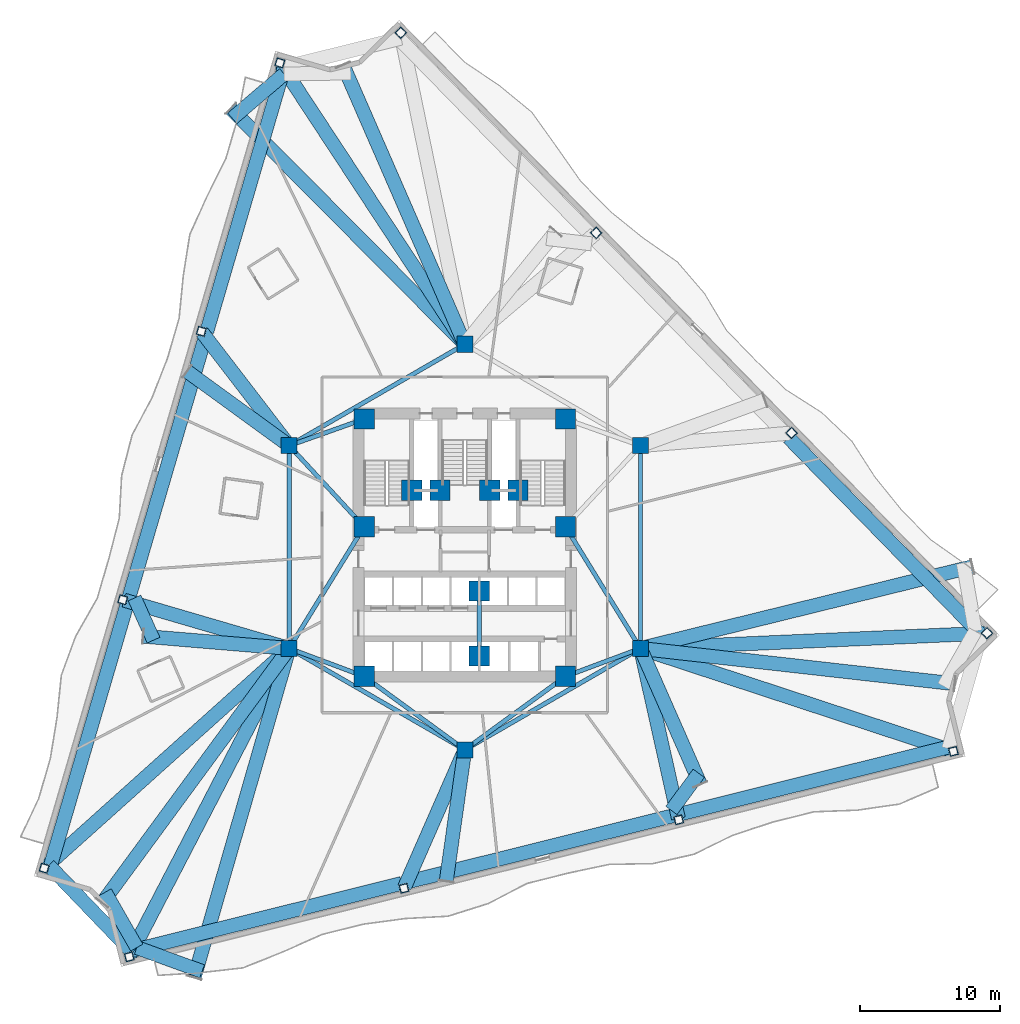
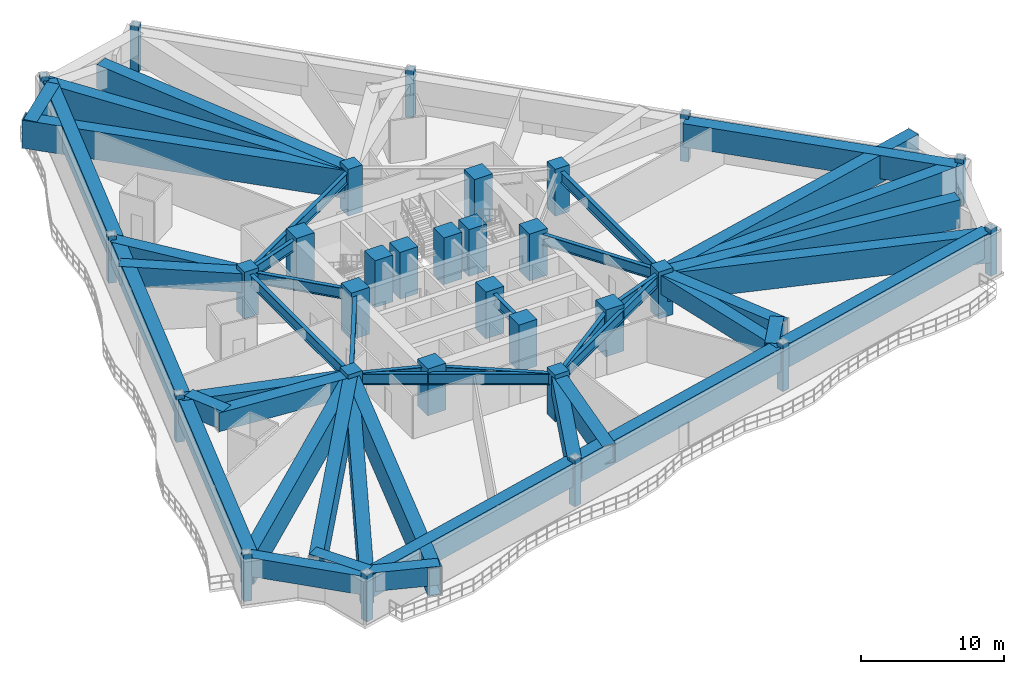
# One storey, part 1 of 14: 46 beams, 30 columns.
"""IFC4 building model written with IfcOpenShell, lengths in metres."""

from ifc_helpers import new_model, si_unit, direction, frame, origin, origin_2d, place, context, subcontext, project, spatial, rectangle, hollow_rectangle, i_section, extrude, material, material_profile, profile_set, type_object, element, save


model = new_model("IFC4")

# Units and contexts
model_context = context("Model", 3, precision=1e-05, world=origin(), true_north=direction((0.0, 1.0)))
body_context = subcontext(model_context, "Body", "Model", "MODEL_VIEW")
ifc_project = project(units=[si_unit("LENGTHUNIT", "METRE"), si_unit("AREAUNIT", "SQUARE_METRE"), si_unit("VOLUMEUNIT", "CUBIC_METRE"), si_unit("PLANEANGLEUNIT", "RADIAN"), si_unit("MASSUNIT", "GRAM", prefix="KILO")], contexts=[model_context])

# Site, building, storey
site_placement = place(None, origin())
site = spatial("IfcSite", under=ifc_project, at=site_placement, CompositionType="ELEMENT")
building_placement = place(site_placement, origin())
building = spatial("IfcBuilding", under=site, at=building_placement, Name="Apsidion Concourse Tower", CompositionType="ELEMENT")
storey_placement = place(building_placement, frame((0.0, 0.0, 123.0)))
storey = spatial("IfcBuildingStorey", under=building, at=storey_placement, Name="L28", CompositionType="ELEMENT", Elevation=123.0)

# Columns
ifc_material_1 = material(Name="Structural steel ASTM A572 Grade 50", Category="steel")
ifc_material_profile_1 = material_profile(ifc_material_1, hollow_rectangle(XDim=0.60009765625, YDim=0.60009765625, WallThickness=0.0400390625, at=origin_2d()), Name="BOX600X600X40")
ifc_profile_set_1 = profile_set([ifc_material_profile_1], Name="Structural steel ASTM A572 Grade 50")
column_type_1 = type_object("IfcColumnType", Name="COL-BOX-600", PredefinedType="COLUMN", material=ifc_profile_set_1)
for number, where, z_axis, x_axis, name in (
    (1, (-13.221435546875, 34.61669921875, 0.0), (0.0, 0.0, 1.0), (0.28083422227, 0.959756291775, 0.0), "L28 Rotated Perimeter Column PC01"),
    (2, (-18.839111328125, 15.422119140625, 0.0), (0.0, 0.0, 1.0), (0.28083422227, 0.959756291775, 0.0), "L28 Rotated Perimeter Column PC02"),
    (3, (-24.45703125, -3.772705078125, 0.0), (0.0, 0.0, 1.0), (0.28083422227, 0.959756291775, 0.0), "L28 Rotated Perimeter Column PC03"),
    (4, (-30.074951171875, -22.96728515625, 0.0), (0.0, 0.0, 1.0), (0.28083422227, 0.959756291775, 0.0), "L28 Rotated Perimeter Column PC04"),
    (5, (-23.9912109375, -29.302001953125, 0.0), (0.0, 0.0, 1.0), (0.970295726276, 0.2419218956, 0.0), "L28 Rotated Perimeter Column PC05"),
    (6, (-4.34765625, -24.404296875, 0.0), (0.0, 0.0, 1.0), (0.970295726276, 0.2419218956, 0.0), "L28 Rotated Perimeter Column PC06"),
    (7, (15.2958984375, -19.506591796875, 0.0), (0.0, 0.0, 1.0), (0.970295726276, 0.2419218956, 0.0), "L28 Rotated Perimeter Column PC07"),
    (8, (34.939208984375, -14.60888671875, 0.0), (0.0, 0.0, 1.0), (0.970295726276, 0.2419218956, 0.0), "L28 Rotated Perimeter Column PC08"),
    (9, (37.337158203125, -6.15966796875, 0.0), (0.0, 0.0, 1.0), (-0.698540186739, 0.715570826341, 0.0), "L28 Rotated Perimeter Column PC09"),
    (10, (23.365478515625, 8.15087890625, 0.0), (0.0, 0.0, 1.0), (-0.698540186739, 0.715570826341, 0.0), "L28 Rotated Perimeter Column PC10"),
    (11, (9.393798828125, 22.461181640625, 0.0), (0.0, 0.0, 1.0), (-0.698540186739, 0.715570826341, 0.0), "L28 Rotated Perimeter Column PC11"),
    (12, (-4.57763671875, 36.771728515625, 0.0), (0.0, 0.0, 1.0), (-0.698540186739, 0.715570826341, 0.0), "L28 Rotated Perimeter Column PC12"),
):
    element("IfcColumn", number, at=place(storey_placement, frame(where, z_axis=z_axis, x_axis=x_axis)), inside=storey, type_object=column_type_1, Name=name, PredefinedType="COLUMN", context=body_context, shape_type="SweptSolid", body=[
        extrude(hollow_rectangle(XDim=0.60009765625, YDim=0.60009765625, WallThickness=0.0400390625, at=origin_2d()), origin(), (0.0, 0.0, 1.0), 4.0),
    ])
ifc_material_2 = material(Name="Concrete C50/60", Category="concrete")
ifc_material_profile_2 = material_profile(ifc_material_2, rectangle(XDim=1.14990234375, YDim=1.14990234375, at=origin_2d()), Name="RC 1150x1150")
ifc_profile_set_2 = profile_set([ifc_material_profile_2], Name="Concrete C50/60")
column_type_2 = type_object("IfcColumnType", Name="COL-RC-1150", PredefinedType="COLUMN", material=ifc_profile_set_2)
for number, where, z_axis, x_axis, name in (
    (13, (-12.56005859375, -7.25, 0.0), (0.0, 0.0, 1.0), (1.0, 0.0, 0.0), "L28 Interior Spine Column IC1"),
    (14, (12.56005859375, -7.25, 0.0), (0.0, 0.0, 1.0), (1.0, 0.0, 0.0), "L28 Interior Spine Column IC2"),
    (15, (12.56005859375, 7.25, 0.0), (0.0, 0.0, 1.0), (1.0, 0.0, 0.0), "L28 Interior Spine Column IC3"),
    (16, (0.0, 14.5, 0.0), (0.0, 0.0, 1.0), (1.0, 0.0, 0.0), "L28 Interior Spine Column IC4"),
    (17, (-12.56005859375, 7.25, 0.0), (0.0, 0.0, 1.0), (1.0, 0.0, 0.0), "L28 Interior Spine Column IC5"),
    (18, (0.0, -14.5, 0.0), (0.0, 0.0, 1.0), (1.0, 0.0, 0.0), "L28 Interior Spine Column IC6"),
):
    element("IfcColumn", number, at=place(storey_placement, frame(where, z_axis=z_axis, x_axis=x_axis)), inside=storey, type_object=column_type_2, Name=name, PredefinedType="COLUMN", context=body_context, shape_type="SweptSolid", body=[
        extrude(rectangle(XDim=1.14990234375, YDim=1.14990234375, at=origin_2d()), origin(), (0.0, 0.0, 1.0), 4.0),
    ])
ifc_material_3 = material(Name="Concrete C60/75", Category="concrete")
ifc_material_profile_3 = material_profile(ifc_material_3, rectangle(XDim=1.449951171875, YDim=1.449951171875, at=origin_2d()), Name="RC 1450x1450")
ifc_profile_set_3 = profile_set([ifc_material_profile_3], Name="Concrete C60/75")
column_type_3 = type_object("IfcColumnType", Name="COL-RC-1450", PredefinedType="COLUMN", material=ifc_profile_set_3)
for number, where, z_axis, x_axis, name in (
    (19, (-7.199951171875, -9.25, 0.0), (0.0, 0.0, 1.0), (1.0, 0.0, 0.0), "L28 Core Super-Column SC1"),
    (20, (7.199951171875, -9.25, 0.0), (0.0, 0.0, 1.0), (1.0, 0.0, 0.0), "L28 Core Super-Column SC2"),
    (21, (7.199951171875, 1.449951171875, 0.0), (0.0, 0.0, 1.0), (1.0, 0.0, 0.0), "L28 Core Super-Column SC3"),
    (22, (7.199951171875, 9.14990234375, 0.0), (0.0, 0.0, 1.0), (1.0, 0.0, 0.0), "L28 Core Super-Column SC4"),
    (23, (-7.199951171875, 9.14990234375, 0.0), (0.0, 0.0, 1.0), (1.0, 0.0, 0.0), "L28 Core Super-Column SC5"),
    (24, (-7.199951171875, 1.449951171875, 0.0), (0.0, 0.0, 1.0), (1.0, 0.0, 0.0), "L28 Core Super-Column SC6"),
    (25, (-3.800048828125, 4.050048828125, 0.0), (0.0, 0.0, 1.0), (1.0, 0.0, 0.0), "L28 Core Super-Column CC1"),
    (26, (3.800048828125, 4.050048828125, 0.0), (0.0, 0.0, 1.0), (1.0, 0.0, 0.0), "L28 Core Super-Column CC2"),
    (27, (-1.77490234375, 4.050048828125, 0.0), (0.0, 0.0, 1.0), (1.0, 0.0, 0.0), "L28 Core Super-Column CC3"),
    (28, (1.77490234375, 4.050048828125, 0.0), (0.0, 0.0, 1.0), (1.0, 0.0, 0.0), "L28 Core Super-Column CC4"),
    (29, (1.02490234375, -3.14990234375, 0.0), (0.0, 0.0, 1.0), (1.0, 0.0, 0.0), "L28 Core Super-Column CC5"),
    (30, (1.02490234375, -7.800048828125, 0.0), (0.0, 0.0, 1.0), (1.0, 0.0, 0.0), "L28 Core Super-Column CC6"),
):
    element("IfcColumn", number, at=place(storey_placement, frame(where, z_axis=z_axis, x_axis=x_axis)), inside=storey, type_object=column_type_3, Name=name, PredefinedType="COLUMN", context=body_context, shape_type="SweptSolid", body=[
        extrude(rectangle(XDim=1.449951171875, YDim=1.449951171875, at=origin_2d()), origin(), (0.0, 0.0, 1.0), 4.0),
    ])

# Beams
ifc_material_4 = material(Name="Structural steel ASTM A992 Grade 50", Category="steel")
ifc_material_profile_4 = material_profile(ifc_material_4, i_section(OverallWidth=0.31005859375, OverallDepth=0.931884765625, WebThickness=0.02099609375, FlangeThickness=0.034423828125, at=origin_2d()), Name="W36X210")
ifc_profile_set_4 = profile_set([ifc_material_profile_4], Name="Structural steel ASTM A992 Grade 50")
beam_type_1 = type_object("IfcBeamType", Name="BM-G-W36", PredefinedType="USERDEFINED", material=ifc_profile_set_4)
beam_1_placement = place(storey_placement, frame((-12.185302734375, -7.389892578125, 3.18408203125), z_axis=(0.936913021145, -0.349562570664, 0.0), x_axis=(0.349562570664, 0.936913021145, 0.0)))
element("IfcBeam", 31, at=beam_1_placement, inside=storey, type_object=beam_type_1, Name="L28 Core Coupling Girder IC1-SC1", ObjectType="GIRDER", PredefinedType="USERDEFINED", context=body_context, shape_type="SweptSolid", body=[
    extrude(i_section(OverallWidth=0.31005859375, OverallDepth=0.931884765625, WebThickness=0.02099609375, FlangeThickness=0.034423828125, at=origin_2d()), origin(), (0.0, 0.0, 1.0), 4.921142578125),
])
beam_2_placement = place(storey_placement, frame((-12.35009765625, -6.909423828125, 3.18408203125), z_axis=(0.524524009763, 0.851395656074, 0.0), x_axis=(-0.851395656074, 0.524524009763, 0.0)))
element("IfcBeam", 32, at=beam_2_placement, inside=storey, type_object=beam_type_1, Name="L28 Core Coupling Girder IC1-SC6", ObjectType="GIRDER", PredefinedType="USERDEFINED", context=body_context, shape_type="SweptSolid", body=[
    extrude(i_section(OverallWidth=0.31005859375, OverallDepth=0.931884765625, WebThickness=0.02099609375, FlangeThickness=0.034423828125, at=origin_2d()), origin(), (0.0, 0.0, 1.0), 9.41845703125),
])
beam_3_placement = place(storey_placement, frame((12.185302734375, -7.389892578125, 3.18408203125), z_axis=(-0.936913021145, -0.349562570664, 0.0), x_axis=(0.349562570664, -0.936913021145, 0.0)))
element("IfcBeam", 33, at=beam_3_placement, inside=storey, type_object=beam_type_1, Name="L28 Core Coupling Girder IC2-SC2", ObjectType="GIRDER", PredefinedType="USERDEFINED", context=body_context, shape_type="SweptSolid", body=[
    extrude(i_section(OverallWidth=0.31005859375, OverallDepth=0.931884765625, WebThickness=0.02099609375, FlangeThickness=0.034423828125, at=origin_2d()), origin(), (0.0, 0.0, 1.0), 4.921142578125),
])
beam_4_placement = place(storey_placement, frame((12.35009765625, -6.909423828125, 3.18408203125), z_axis=(-0.524524009763, 0.851395656074, 0.0), x_axis=(-0.851395656074, -0.524524009763, 0.0)))
element("IfcBeam", 34, at=beam_4_placement, inside=storey, type_object=beam_type_1, Name="L28 Core Coupling Girder IC2-SC3", ObjectType="GIRDER", PredefinedType="USERDEFINED", context=body_context, shape_type="SweptSolid", body=[
    extrude(i_section(OverallWidth=0.31005859375, OverallDepth=0.931884765625, WebThickness=0.02099609375, FlangeThickness=0.034423828125, at=origin_2d()), origin(), (0.0, 0.0, 1.0), 9.41845703125),
])
beam_5_placement = place(storey_placement, frame((-12.28857421875, 6.956298828125, 3.18408203125), z_axis=(0.678712876106, -0.73440372535, 0.0), x_axis=(0.73440372535, 0.678712876106, 0.0)))
element("IfcBeam", 35, at=beam_5_placement, inside=storey, type_object=beam_type_1, Name="L28 Core Coupling Girder IC5-SC6", ObjectType="GIRDER", PredefinedType="USERDEFINED", context=body_context, shape_type="SweptSolid", body=[
    extrude(i_section(OverallWidth=0.31005859375, OverallDepth=0.931884765625, WebThickness=0.02099609375, FlangeThickness=0.034423828125, at=origin_2d()), origin(), (0.0, 0.0, 1.0), 7.097412109375),
])
beam_6_placement = place(storey_placement, frame((-12.18310546875, 7.383544921875, 3.18408203125), z_axis=(0.942533844539, 0.334110688094, 0.0), x_axis=(-0.334110688094, 0.942533844539, 0.0)))
element("IfcBeam", 36, at=beam_6_placement, inside=storey, type_object=beam_type_1, Name="L28 Core Coupling Girder IC5-SC5", ObjectType="GIRDER", PredefinedType="USERDEFINED", context=body_context, shape_type="SweptSolid", body=[
    extrude(i_section(OverallWidth=0.31005859375, OverallDepth=0.931884765625, WebThickness=0.02099609375, FlangeThickness=0.034423828125, at=origin_2d()), origin(), (0.0, 0.0, 1.0), 4.886962890625),
])
for number, where, z_axis, x_axis, name in (
    (37, (-0.3232421875, -14.264404296875, 3.18408203125), (-0.807993498909, 0.589191399905, 0.0), (-0.589191399905, -0.807993498909, 0.0), "L28 Core Coupling Girder IC6-SC1"),
    (38, (0.3232421875, -14.264404296875, 3.18408203125), (0.807993498909, 0.589191399905, 0.0), (-0.589191399905, 0.807993498909, 0.0), "L28 Core Coupling Girder IC6-SC2"),
):
    element("IfcBeam", number, at=place(storey_placement, frame(where, z_axis=z_axis, x_axis=x_axis)), inside=storey, type_object=beam_type_1, Name=name, ObjectType="GIRDER", PredefinedType="USERDEFINED", context=body_context, shape_type="SweptSolid", body=[
        extrude(i_section(OverallWidth=0.31005859375, OverallDepth=0.931884765625, WebThickness=0.02099609375, FlangeThickness=0.034423828125, at=origin_2d()), origin(), (0.0, 0.0, 1.0), 8.11083984375),
    ])
beam_7_placement = place(storey_placement, frame((-12.56005859375, -6.85009765625, 3.18408203125), z_axis=(0.0, 1.0, 0.0), x_axis=(-1.0, 0.0, 0.0)))
element("IfcBeam", 39, at=beam_7_placement, inside=storey, type_object=beam_type_1, Name="L28 Core Coupling Girder IC1-IC5", ObjectType="GIRDER", PredefinedType="USERDEFINED", context=body_context, shape_type="SweptSolid", body=[
    extrude(i_section(OverallWidth=0.31005859375, OverallDepth=0.931884765625, WebThickness=0.02099609375, FlangeThickness=0.034423828125, at=origin_2d()), origin(), (0.0, 0.0, 1.0), 13.7001953125),
])
beam_8_placement = place(storey_placement, frame((-12.213623046875, 7.449951171875, 3.18408203125), z_axis=(0.866070471464, 0.499921932364, 0.0), x_axis=(-0.499921932364, 0.866070471464, 0.0)))
element("IfcBeam", 40, at=beam_8_placement, inside=storey, type_object=beam_type_1, Name="L28 Core Coupling Girder IC5-IC4", ObjectType="GIRDER", PredefinedType="USERDEFINED", context=body_context, shape_type="SweptSolid", body=[
    extrude(i_section(OverallWidth=0.31005859375, OverallDepth=0.931884765625, WebThickness=0.02099609375, FlangeThickness=0.034423828125, at=origin_2d()), origin(), (0.0, 0.0, 1.0), 13.702392578125),
])
beam_9_placement = place(storey_placement, frame((12.56005859375, 6.85009765625, 3.18408203125), z_axis=(0.0, -1.0, 0.0), x_axis=(1.0, 0.0, 0.0)))
element("IfcBeam", 41, at=beam_9_placement, inside=storey, type_object=beam_type_1, Name="L28 Core Coupling Girder IC3-IC2", ObjectType="GIRDER", PredefinedType="USERDEFINED", context=body_context, shape_type="SweptSolid", body=[
    extrude(i_section(OverallWidth=0.31005859375, OverallDepth=0.931884765625, WebThickness=0.02099609375, FlangeThickness=0.034423828125, at=origin_2d()), origin(), (0.0, 0.0, 1.0), 13.7001953125),
])
for number, where, z_axis, x_axis, name in (
    (42, (12.213623046875, -7.449951171875, 3.18408203125), (-0.866070471464, -0.499921932364, 0.0), (0.499921932364, -0.866070471464, 0.0), "L28 Core Coupling Girder IC2-IC6"),
    (43, (-0.346435546875, -14.300048828125, 3.18408203125), (-0.866070471464, 0.499921932364, 0.0), (-0.499921932364, -0.866070471464, 0.0), "L28 Core Coupling Girder IC6-IC1"),
):
    element("IfcBeam", number, at=place(storey_placement, frame(where, z_axis=z_axis, x_axis=x_axis)), inside=storey, type_object=beam_type_1, Name=name, ObjectType="GIRDER", PredefinedType="USERDEFINED", context=body_context, shape_type="SweptSolid", body=[
        extrude(i_section(OverallWidth=0.31005859375, OverallDepth=0.931884765625, WebThickness=0.02099609375, FlangeThickness=0.034423828125, at=origin_2d()), origin(), (0.0, 0.0, 1.0), 13.702392578125),
    ])
beam_10_placement = place(storey_placement, frame((1.02490234375, -3.550048828125, 3.18408203125), z_axis=(0.0, -1.0, 0.0), x_axis=(1.0, 0.0, 0.0)))
element("IfcBeam", 44, at=beam_10_placement, inside=storey, type_object=beam_type_1, Name="L28 Core Coupling Girder CC5-CC6", ObjectType="GIRDER", PredefinedType="USERDEFINED", context=body_context, shape_type="SweptSolid", body=[
    extrude(i_section(OverallWidth=0.31005859375, OverallDepth=0.931884765625, WebThickness=0.02099609375, FlangeThickness=0.034423828125, at=origin_2d()), origin(), (0.0, 0.0, 1.0), 3.849853515625),
])
ifc_material_profile_5 = material_profile(ifc_material_1, hollow_rectangle(XDim=1.0, YDim=1.60009765625, WallThickness=0.074951171875, at=origin_2d()), Name="BOX1600X1000X75")
ifc_profile_set_5 = profile_set([ifc_material_profile_5], Name="Structural steel ASTM A572 Grade 50")
beam_type_2 = type_object("IfcBeamType", Name="BM-TR-1600", PredefinedType="USERDEFINED", material=ifc_profile_set_5)
beam_11_placement = place(storey_placement, frame((-29.745361328125, -22.76171875, 2.85009765625), z_axis=(0.692678565471, -0.721246424558, 0.0), x_axis=(0.721246424558, 0.692678565471, 0.0)))
element("IfcBeam", 45, at=beam_11_placement, inside=storey, type_object=beam_type_2, Name="L28 Perimeter Spandrel Girder SP-04", ObjectType="GIRDER", PredefinedType="USERDEFINED", context=body_context, shape_type="SweptSolid", body=[
    extrude(hollow_rectangle(XDim=1.0, YDim=1.60009765625, WallThickness=0.074951171875, at=origin_2d()), origin(), (0.0, 0.0, 1.0), 8.622802734375),
])
beam_12_placement = place(storey_placement, frame((-12.694091796875, 7.42431640625, 2.85009765625), z_axis=(-0.60927705242, 0.792957422182, 0.0), x_axis=(-0.792957422182, -0.60927705242, 0.0)))
element("IfcBeam", 46, at=beam_12_placement, inside=storey, type_object=beam_type_2, Name="L28 Radial Floor Girder RAD-02", ObjectType="GIRDER", PredefinedType="USERDEFINED", context=body_context, shape_type="SweptSolid", body=[
    extrude(hollow_rectangle(XDim=1.0, YDim=1.60009765625, WallThickness=0.074951171875, at=origin_2d()), origin(), (0.0, 0.0, 1.0), 9.986083984375),
])
beam_13_placement = place(storey_placement, frame((-12.771240234375, -7.188232421875, 2.85009765625), z_axis=(-0.959842235796, 0.280540340025, 0.0), x_axis=(-0.280540340025, -0.959842235796, 0.0)))
element("IfcBeam", 47, at=beam_13_placement, inside=storey, type_object=beam_type_2, Name="L28 Radial Floor Girder RAD-03", ObjectType="GIRDER", PredefinedType="USERDEFINED", context=body_context, shape_type="SweptSolid", body=[
    extrude(hollow_rectangle(XDim=1.0, YDim=1.60009765625, WallThickness=0.074951171875, at=origin_2d()), origin(), (0.0, 0.0, 1.0), 12.07470703125),
])
beam_14_placement = place(storey_placement, frame((-0.08837890625, -14.701416015625, 2.85009765625), z_axis=(-0.401949632814, -0.915661778541, 0.0), x_axis=(0.915661778541, -0.401949632814, 0.0)))
element("IfcBeam", 48, at=beam_14_placement, inside=storey, type_object=beam_type_2, Name="L28 Radial Floor Girder RAD-06", ObjectType="GIRDER", PredefinedType="USERDEFINED", context=body_context, shape_type="SweptSolid", body=[
    extrude(hollow_rectangle(XDim=1.0, YDim=1.60009765625, WallThickness=0.074951171875, at=origin_2d()), origin(), (0.0, 0.0, 1.0), 10.496337890625),
])
beam_15_placement = place(storey_placement, frame((12.60791015625, -7.464599609375, 2.85009765625), z_axis=(0.217842852824, -0.975983858203, 0.0), x_axis=(0.975983858203, 0.217842852824, 0.0)))
element("IfcBeam", 49, at=beam_15_placement, inside=storey, type_object=beam_type_2, Name="L28 Radial Floor Girder RAD-07", ObjectType="GIRDER", PredefinedType="USERDEFINED", context=body_context, shape_type="SweptSolid", body=[
    extrude(hollow_rectangle(XDim=1.0, YDim=1.60009765625, WallThickness=0.074951171875, at=origin_2d()), origin(), (0.0, 0.0, 1.0), 12.23828125),
])
beam_16_placement = place(storey_placement, frame((-12.918212890625, 33.822509765625, 2.85009765625), z_axis=(-0.760054365472, -0.649859493681, 0.0), x_axis=(0.649859493681, -0.760054365472, 0.0)))
element("IfcBeam", 50, at=beam_16_placement, inside=storey, type_object=beam_type_2, Name="L28 Block-Step Perimeter Transfer Bridge NBR-01", ObjectType="GIRDER", PredefinedType="USERDEFINED", context=body_context, shape_type="SweptSolid", body=[
    extrude(hollow_rectangle(XDim=1.0, YDim=1.60009765625, WallThickness=0.074951171875, at=origin_2d()), origin(), (0.0, 0.0, 1.0), 4.878662109375),
])
beam_17_placement = place(storey_placement, frame((-12.802490234375, 7.426513671875, 2.85009765625), z_axis=(-0.808375828418, 0.588666730867, 0.0), x_axis=(-0.588666730867, -0.808375828418, 0.0)))
element("IfcBeam", 51, at=beam_17_placement, inside=storey, type_object=beam_type_2, Name="L28 Block-Step Radial Transfer Girder NTR-02", ObjectType="GIRDER", PredefinedType="USERDEFINED", context=body_context, shape_type="SweptSolid", body=[
    extrude(hollow_rectangle(XDim=1.0, YDim=1.60009765625, WallThickness=0.074951171875, at=origin_2d()), origin(), (0.0, 0.0, 1.0), 8.707275390625),
])
beam_18_placement = place(storey_placement, frame((-12.85888671875, -7.22509765625, 2.85009765625), z_axis=(-0.996528841826, 0.083248227664, 0.0), x_axis=(-0.083248227664, -0.996528841826, 0.0)))
element("IfcBeam", 52, at=beam_18_placement, inside=storey, type_object=beam_type_2, Name="L28 Block-Step Radial Transfer Girder NTR-03", ObjectType="GIRDER", PredefinedType="USERDEFINED", context=body_context, shape_type="SweptSolid", body=[
    extrude(hollow_rectangle(XDim=1.0, YDim=1.60009765625, WallThickness=0.074951171875, at=origin_2d()), origin(), (0.0, 0.0, 1.0), 10.164794921875),
])
beam_19_placement = place(storey_placement, frame((-23.616943359375, -3.64306640625, 2.85009765625), z_axis=(0.411600559507, -0.911364350528, 0.0), x_axis=(0.911364350528, 0.411600559507, 0.0)))
element("IfcBeam", 53, at=beam_19_placement, inside=storey, type_object=beam_type_2, Name="L28 Block-Step Perimeter Transfer Bridge NBR-03", ObjectType="GIRDER", PredefinedType="USERDEFINED", context=body_context, shape_type="SweptSolid", body=[
    extrude(hollow_rectangle(XDim=1.0, YDim=1.60009765625, WallThickness=0.074951171875, at=origin_2d()), origin(), (0.0, 0.0, 1.0), 3.30908203125),
])
beam_20_placement = place(storey_placement, frame((-23.45263671875, -28.644287109375, 2.85009765625), z_axis=(-0.496127410998, 0.868249729085, 0.0), x_axis=(-0.868249729085, -0.496127410998, 0.0)))
element("IfcBeam", 54, at=beam_20_placement, inside=storey, type_object=beam_type_2, Name="L28 Block-Step Perimeter Transfer Bridge NBR-04", ObjectType="GIRDER", PredefinedType="USERDEFINED", context=body_context, shape_type="SweptSolid", body=[
    extrude(hollow_rectangle(XDim=1.0, YDim=1.60009765625, WallThickness=0.074951171875, at=origin_2d()), origin(), (0.0, 0.0, 1.0), 4.561767578125),
])
beam_21_placement = place(storey_placement, frame((-23.45263671875, -28.644287109375, 2.85009765625), z_axis=(0.939662778408, -0.342102123457, 0.0), x_axis=(0.342102123457, 0.939662778408, 0.0)))
element("IfcBeam", 55, at=beam_21_placement, inside=storey, type_object=beam_type_2, Name="L28 Block-Step Perimeter Transfer Bridge NBR-05", ObjectType="GIRDER", PredefinedType="USERDEFINED", context=body_context, shape_type="SweptSolid", body=[
    extrude(hollow_rectangle(XDim=1.0, YDim=1.60009765625, WallThickness=0.074951171875, at=origin_2d()), origin(), (0.0, 0.0, 1.0), 4.9677734375),
])
beam_22_placement = place(storey_placement, frame((-0.0419921875, -14.797119140625, 2.85009765625), z_axis=(-0.139737490544, -0.990188584935, 0.0), x_axis=(0.990188584935, -0.139737490544, 0.0)))
element("IfcBeam", 56, at=beam_22_placement, inside=storey, type_object=beam_type_2, Name="L28 Block-Step Radial Transfer Girder NTR-06", ObjectType="GIRDER", PredefinedType="USERDEFINED", context=body_context, shape_type="SweptSolid", body=[
    extrude(hollow_rectangle(XDim=1.0, YDim=1.60009765625, WallThickness=0.074951171875, at=origin_2d()), origin(), (0.0, 0.0, 1.0), 9.176025390625),
])
beam_23_placement = place(storey_placement, frame((12.680908203125, -7.5244140625, 2.85009765625), z_axis=(0.403242521372, -0.915093147695, 0.0), x_axis=(0.915093147695, 0.403242521372, 0.0)))
element("IfcBeam", 57, at=beam_23_placement, inside=storey, type_object=beam_type_2, Name="L28 Block-Step Radial Transfer Girder NTR-07", ObjectType="GIRDER", PredefinedType="USERDEFINED", context=body_context, shape_type="SweptSolid", body=[
    extrude(hollow_rectangle(XDim=1.0, YDim=1.60009765625, WallThickness=0.074951171875, at=origin_2d()), origin(), (0.0, 0.0, 1.0), 10.308837890625),
])
beam_24_placement = place(storey_placement, frame((14.771240234375, -18.837646484375, 2.85009765625), z_axis=(0.592636157153, 0.805470288239, 0.0), x_axis=(-0.805470288239, 0.592636157153, 0.0)))
element("IfcBeam", 58, at=beam_24_placement, inside=storey, type_object=beam_type_2, Name="L28 Block-Step Perimeter Transfer Bridge NBR-07", ObjectType="GIRDER", PredefinedType="USERDEFINED", context=body_context, shape_type="SweptSolid", body=[
    extrude(hollow_rectangle(XDim=1.0, YDim=1.60009765625, WallThickness=0.074951171875, at=origin_2d()), origin(), (0.0, 0.0, 1.0), 3.30029296875),
])
ifc_material_profile_6 = material_profile(ifc_material_1, hollow_rectangle(XDim=1.0, YDim=2.0, WallThickness=0.080078125, at=origin_2d()), Name="BOX2000X1000X80")
ifc_profile_set_6 = profile_set([ifc_material_profile_6], Name="Structural steel ASTM A572 Grade 50")
beam_type_3 = type_object("IfcBeamType", Name="BM-TR-2000", PredefinedType="USERDEFINED", material=ifc_profile_set_6)
for number, where, z_axis, x_axis, name in (
    (59, (-12.879150390625, 34.43310546875, 2.64990234375), (-0.280888247957, -0.959740481672, 0.0), (0.959740481672, -0.280888247957, 0.0), "L28 Perimeter Spandrel Girder SP-01"),
    (60, (-18.4970703125, 15.238525390625, 2.64990234375), (-0.280888247957, -0.959740481672, 0.0), (0.959740481672, -0.280888247957, 0.0), "L28 Perimeter Spandrel Girder SP-02"),
    (61, (-24.114990234375, -3.956298828125, 2.64990234375), (-0.280888247957, -0.959740481672, 0.0), (0.959740481672, -0.280888247957, 0.0), "L28 Perimeter Spandrel Girder SP-03"),
):
    element("IfcBeam", number, at=place(storey_placement, frame(where, z_axis=z_axis, x_axis=x_axis)), inside=storey, type_object=beam_type_3, Name=name, ObjectType="GIRDER", PredefinedType="USERDEFINED", context=body_context, shape_type="SweptSolid", body=[
        extrude(hollow_rectangle(XDim=1.0, YDim=2.0, WallThickness=0.080078125, at=origin_2d()), origin(), (0.0, 0.0, 1.0), 19.83984375),
    ])
beam_25_placement = place(storey_placement, frame((-24.00537109375, -28.913818359375, 2.64990234375), z_axis=(0.970296749179, 0.241917792922, 0.0), x_axis=(-0.241917792922, 0.970296749179, 0.0)))
element("IfcBeam", 62, at=beam_25_placement, inside=storey, type_object=beam_type_3, Name="L28 Perimeter Spandrel Girder SP-05", ObjectType="GIRDER", PredefinedType="USERDEFINED", context=body_context, shape_type="SweptSolid", body=[
    extrude(hollow_rectangle(XDim=1.0, YDim=2.0, WallThickness=0.080078125, at=origin_2d()), origin(), (0.0, 0.0, 1.0), 20.0849609375),
])
beam_26_placement = place(storey_placement, frame((-4.36181640625, -24.01611328125, 2.64990234375), z_axis=(0.970296037778, 0.241920646228, 0.0), x_axis=(-0.241920646228, 0.970296037778, 0.0)))
element("IfcBeam", 63, at=beam_26_placement, inside=storey, type_object=beam_type_3, Name="L28 Perimeter Spandrel Girder SP-06", ObjectType="GIRDER", PredefinedType="USERDEFINED", context=body_context, shape_type="SweptSolid", body=[
    extrude(hollow_rectangle(XDim=1.0, YDim=2.0, WallThickness=0.080078125, at=origin_2d()), origin(), (0.0, 0.0, 1.0), 20.084716796875),
])
beam_27_placement = place(storey_placement, frame((15.281494140625, -19.118408203125, 2.64990234375), z_axis=(0.970296749179, 0.241917792922, 0.0), x_axis=(-0.241917792922, 0.970296749179, 0.0)))
element("IfcBeam", 64, at=beam_27_placement, inside=storey, type_object=beam_type_3, Name="L28 Perimeter Spandrel Girder SP-07", ObjectType="GIRDER", PredefinedType="USERDEFINED", context=body_context, shape_type="SweptSolid", body=[
    extrude(hollow_rectangle(XDim=1.0, YDim=2.0, WallThickness=0.080078125, at=origin_2d()), origin(), (0.0, 0.0, 1.0), 20.0849609375),
])
beam_28_placement = place(storey_placement, frame((37.00927734375, -6.367919921875, 2.64990234375), z_axis=(-0.698583680674, 0.715528364984, 0.0), x_axis=(-0.715528364984, -0.698583680674, 0.0)))
element("IfcBeam", 65, at=beam_28_placement, inside=storey, type_object=beam_type_3, Name="L28 Perimeter Spandrel Girder SP-09", ObjectType="GIRDER", PredefinedType="USERDEFINED", context=body_context, shape_type="SweptSolid", body=[
    extrude(hollow_rectangle(XDim=1.0, YDim=2.0, WallThickness=0.080078125, at=origin_2d()), origin(), (0.0, 0.0, 1.0), 19.83984375),
])
beam_29_placement = place(storey_placement, frame((-0.119873046875, 14.77490234375, 2.64990234375), z_axis=(-0.399787997335, 0.916607635353, 0.0), x_axis=(-0.916607635353, -0.399787997335, 0.0)))
element("IfcBeam", 66, at=beam_29_placement, inside=storey, type_object=beam_type_3, Name="L28 Block-Step Radial Transfer Girder NTR-12", ObjectType="GIRDER", PredefinedType="USERDEFINED", context=body_context, shape_type="SweptSolid", body=[
    extrude(hollow_rectangle(XDim=1.0, YDim=2.0, WallThickness=0.080078125, at=origin_2d()), origin(), (0.0, 0.0, 1.0), 21.474365234375),
])
ifc_material_profile_7 = material_profile(ifc_material_1, hollow_rectangle(XDim=1.0, YDim=2.39990234375, WallThickness=0.080078125, at=origin_2d()), Name="BOX2400X1000X80")
ifc_profile_set_7 = profile_set([ifc_material_profile_7], Name="Structural steel ASTM A572 Grade 50")
beam_type_4 = type_object("IfcBeamType", Name="BM-TR-2400", PredefinedType="USERDEFINED", material=ifc_profile_set_7)
beam_30_placement = place(storey_placement, frame((-0.120849609375, 14.683837890625, 2.449951171875), z_axis=(-0.549235108968, 0.835667873666, 0.0), x_axis=(-0.835667873666, -0.549235108968, 0.0)))
element("IfcBeam", 67, at=beam_30_placement, inside=storey, type_object=beam_type_4, Name="L28 Radial Floor Girder RAD-01", ObjectType="GIRDER", PredefinedType="USERDEFINED", context=body_context, shape_type="SweptSolid", body=[
    extrude(hollow_rectangle(XDim=1.0, YDim=2.39990234375, WallThickness=0.080078125, at=origin_2d()), origin(), (0.0, 0.0, 1.0), 23.75244140625),
])
beam_31_placement = place(storey_placement, frame((-12.7236328125, -7.39697265625, 2.449951171875), z_axis=(-0.744273383099, -0.667875086532, 0.0), x_axis=(0.667875086532, -0.744273383099, 0.0)))
element("IfcBeam", 68, at=beam_31_placement, inside=storey, type_object=beam_type_4, Name="L28 Radial Floor Girder RAD-04", ObjectType="GIRDER", PredefinedType="USERDEFINED", context=body_context, shape_type="SweptSolid", body=[
    extrude(hollow_rectangle(XDim=1.0, YDim=2.39990234375, WallThickness=0.080078125, at=origin_2d()), origin(), (0.0, 0.0, 1.0), 23.213134765625),
])
beam_32_placement = place(storey_placement, frame((-12.6611328125, -7.4453125, 2.449951171875), z_axis=(-0.460218051121, -0.887805916528, 0.0), x_axis=(0.887805916528, -0.460218051121, 0.0)))
element("IfcBeam", 69, at=beam_32_placement, inside=storey, type_object=beam_type_4, Name="L28 Radial Floor Girder RAD-05", ObjectType="GIRDER", PredefinedType="USERDEFINED", context=body_context, shape_type="SweptSolid", body=[
    extrude(hollow_rectangle(XDim=1.0, YDim=2.39990234375, WallThickness=0.080078125, at=origin_2d()), origin(), (0.0, 0.0, 1.0), 24.5185546875),
])
beam_33_placement = place(storey_placement, frame((12.76904296875, -7.318603515625, 2.449951171875), z_axis=(0.949958282866, -0.312376793015, 0.0), x_axis=(0.312376793015, 0.949958282866, 0.0)))
element("IfcBeam", 70, at=beam_33_placement, inside=storey, type_object=beam_type_4, Name="L28 Radial Floor Girder RAD-08", ObjectType="GIRDER", PredefinedType="USERDEFINED", context=body_context, shape_type="SweptSolid", body=[
    extrude(hollow_rectangle(XDim=1.0, YDim=2.39990234375, WallThickness=0.080078125, at=origin_2d()), origin(), (0.0, 0.0, 1.0), 23.238037109375),
])
beam_34_placement = place(storey_placement, frame((12.77978515625, -7.240234375, 2.449951171875), z_axis=(0.999033329696, 0.0439591419, 0.0), x_axis=(-0.0439591419, 0.999033329696, 0.0)))
element("IfcBeam", 71, at=beam_34_placement, inside=storey, type_object=beam_type_4, Name="L28 Radial Floor Girder RAD-09", ObjectType="GIRDER", PredefinedType="USERDEFINED", context=body_context, shape_type="SweptSolid", body=[
    extrude(hollow_rectangle(XDim=1.0, YDim=2.39990234375, WallThickness=0.080078125, at=origin_2d()), origin(), (0.0, 0.0, 1.0), 24.481201171875),
])
beam_35_placement = place(storey_placement, frame((-0.211181640625, 14.712890625, 2.449951171875), z_axis=(-0.704471942339, 0.709731838413, 0.0), x_axis=(-0.709731838413, -0.704471942339, 0.0)))
element("IfcBeam", 72, at=beam_35_placement, inside=storey, type_object=beam_type_4, Name="L28 Block-Step Radial Transfer Girder NTR-01", ObjectType="GIRDER", PredefinedType="USERDEFINED", context=body_context, shape_type="SweptSolid", body=[
    extrude(hollow_rectangle(XDim=1.0, YDim=2.39990234375, WallThickness=0.080078125, at=origin_2d()), origin(), (0.0, 0.0, 1.0), 23.43994140625),
])
beam_36_placement = place(storey_placement, frame((-12.737548828125, -7.49169921875, 2.449951171875), z_axis=(-0.592097931004, -0.805866018703, 0.0), x_axis=(0.805866018703, -0.592097931004, 0.0)))
element("IfcBeam", 73, at=beam_36_placement, inside=storey, type_object=beam_type_4, Name="L28 Block-Step Radial Transfer Girder NTR-04", ObjectType="GIRDER", PredefinedType="USERDEFINED", context=body_context, shape_type="SweptSolid", body=[
    extrude(hollow_rectangle(XDim=1.0, YDim=2.39990234375, WallThickness=0.080078125, at=origin_2d()), origin(), (0.0, 0.0, 1.0), 22.27734375),
])
beam_37_placement = place(storey_placement, frame((-12.64306640625, -7.5380859375, 2.449951171875), z_axis=(-0.277131254199, -0.960832070627, 0.0), x_axis=(0.960832070627, -0.277131254199, 0.0)))
element("IfcBeam", 74, at=beam_37_placement, inside=storey, type_object=beam_type_4, Name="L28 Block-Step Radial Transfer Girder NTR-05", ObjectType="GIRDER", PredefinedType="USERDEFINED", context=body_context, shape_type="SweptSolid", body=[
    extrude(hollow_rectangle(XDim=1.0, YDim=2.39990234375, WallThickness=0.080078125, at=origin_2d()), origin(), (0.0, 0.0, 1.0), 24.180419921875),
])
beam_38_placement = place(storey_placement, frame((12.858154296875, -7.28369140625, 2.449951171875), z_axis=(0.993722327211, -0.111874645932, 0.0), x_axis=(0.111874645932, 0.993722327211, 0.0)))
element("IfcBeam", 75, at=beam_38_placement, inside=storey, type_object=beam_type_4, Name="L28 Block-Step Radial Transfer Girder NTR-08", ObjectType="GIRDER", PredefinedType="USERDEFINED", context=body_context, shape_type="SweptSolid", body=[
    extrude(hollow_rectangle(XDim=1.0, YDim=2.39990234375, WallThickness=0.080078125, at=origin_2d()), origin(), (0.0, 0.0, 1.0), 22.29833984375),
])
beam_39_placement = place(storey_placement, frame((12.851318359375, -7.17822265625, 2.449951171875), z_axis=(0.970979623743, 0.239162225857, 0.0), x_axis=(-0.239162225857, 0.970979623743, 0.0)))
element("IfcBeam", 76, at=beam_39_placement, inside=storey, type_object=beam_type_4, Name="L28 Block-Step Radial Transfer Girder NTR-09", ObjectType="GIRDER", PredefinedType="USERDEFINED", context=body_context, shape_type="SweptSolid", body=[
    extrude(hollow_rectangle(XDim=1.0, YDim=2.39990234375, WallThickness=0.080078125, at=origin_2d()), origin(), (0.0, 0.0, 1.0), 24.14013671875),
])

save(model, "model.ifc")
